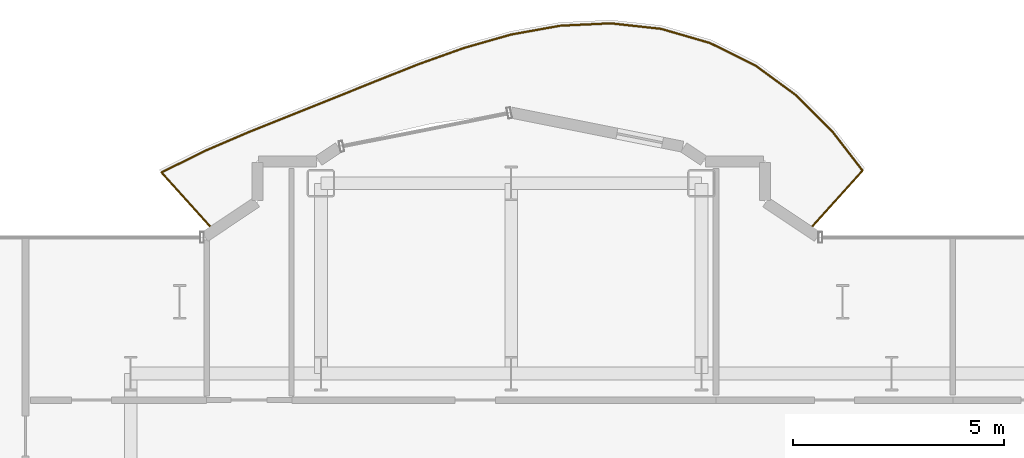
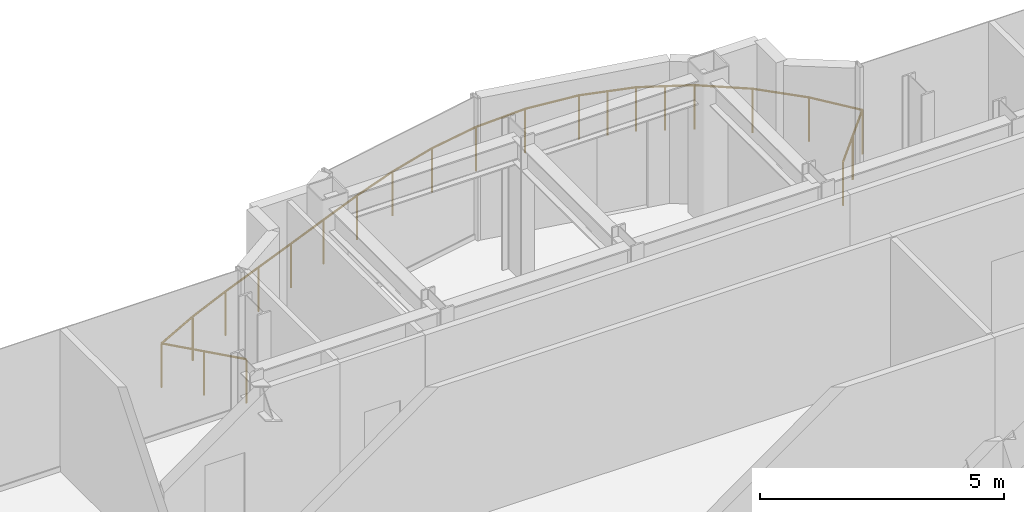
# One storey, part 21 of 21: 1 railing.
"""IFC4 building model written with IfcOpenShell, lengths in metres."""

from ifc_helpers import new_model, si_unit, direction, frame, origin, origin_2d, place, context, subcontext, project, spatial, circle, extrude, material, type_object, element, save


model = new_model("IFC4")

# Units and contexts
model_context = context("Model", 3, precision=1e-05, world=origin(), true_north=direction((0.0, 1.0)))
body_context = subcontext(model_context, "Body", "Model", "MODEL_VIEW")
ifc_project = project(units=[si_unit("LENGTHUNIT", "METRE"), si_unit("AREAUNIT", "SQUARE_METRE"), si_unit("VOLUMEUNIT", "CUBIC_METRE"), si_unit("PLANEANGLEUNIT", "RADIAN"), si_unit("MASSUNIT", "GRAM", prefix="KILO")], contexts=[model_context])

# Site, building, storey
site_placement = place(None, origin())
site = spatial("IfcSite", under=ifc_project, at=site_placement, CompositionType="ELEMENT")
building_placement = place(site_placement, origin())
building = spatial("IfcBuilding", under=site, at=building_placement, Name="Nefas-Gora Pilgrimage Tower", CompositionType="ELEMENT")
storey_placement = place(building_placement, frame((0.0, 0.0, 210.39990234375)))
storey = spatial("IfcBuildingStorey", under=building, at=storey_placement, Name="L52", CompositionType="ELEMENT", Elevation=210.39990234375)

# Railing
ifc_material = material(Name="Laminated safety glass and stainless steel", Category="steel")
railing_type = type_object("IfcRailingType", Name="RLG-BAL-1100", PredefinedType="BALUSTRADE", material=ifc_material)
railing_placement = place(storey_placement, frame((4.802490234375, 21.402587890625, 0.0)))
element("IfcRailing", 1, at=railing_placement, inside=storey, type_object=railing_type, Name="L52 Wave Balcony Balustrade N1", PredefinedType="BALUSTRADE", context=body_context, shape_type="SweptSolid", body=[
    extrude(circle(Radius=0.02392578125, at=origin_2d()), frame((0.0, 0.0, 1.09619140625), z_axis=(0.669129721026, 0.743145622634, 0.0), x_axis=(-0.743145622634, 0.669129721026, 0.0)), (0.0, 0.0, 1.0), 1.880126953125),
    extrude(circle(Radius=0.02392578125, at=origin_2d()), frame((1.258056640625, 1.397216796875, 1.09619140625), z_axis=(-0.611200063939, 0.791476141044, 0.0), x_axis=(-0.791476141044, -0.611200063939, 0.0)), (0.0, 0.0, 1.0), 1.179443359375),
    extrude(circle(Radius=0.02392578125, at=origin_2d()), frame((0.537109375, 2.330810546875, 1.09619140625), z_axis=(-0.707209030738, 0.707004516848, 0.0), x_axis=(-0.707004516848, -0.707209030738, 0.0)), (0.0, 0.0, 1.0), 1.19384765625),
    extrude(circle(Radius=0.02392578125, at=origin_2d()), frame((-0.30712890625, 3.1748046875, 1.09619140625), z_axis=(-0.807148617314, 0.590348295135, 0.0), x_axis=(-0.590348295135, -0.807148617314, 0.0)), (0.0, 0.0, 1.0), 1.19921875),
    extrude(circle(Radius=0.02392578125, at=origin_2d()), frame((-1.275146484375, 3.8828125, 1.09619140625), z_axis=(-0.896048232133, 0.443956716011, 0.0), x_axis=(-0.443956716011, -0.896048232133, 0.0)), (0.0, 0.0, 1.0), 1.200439453125),
    extrude(circle(Radius=0.02392578125, at=origin_2d()), frame((-2.350830078125, 4.415771484375, 1.09619140625), z_axis=(-0.960465578019, 0.278398766951, 0.0), x_axis=(-0.278398766951, -0.960465578019, 0.0)), (0.0, 0.0, 1.0), 1.200439453125),
    extrude(circle(Radius=0.02392578125, at=origin_2d()), frame((-3.50390625, 4.75, 1.09619140625), z_axis=(-0.994009663553, 0.109292217307, 0.0), x_axis=(-0.109292217307, -0.994009663553, 0.0)), (0.0, 0.0, 1.0), 1.199462890625),
    extrude(circle(Radius=0.02392578125, at=origin_2d()), frame((-4.6962890625, 4.881103515625, 1.09619140625), z_axis=(-0.998903921138, -0.046807652535, 0.0), x_axis=(0.046807652535, -0.998903921138, 0.0)), (0.0, 0.0, 1.0), 1.1943359375),
    extrude(circle(Radius=0.02392578125, at=origin_2d()), frame((-5.889404296875, 4.8251953125, 1.09619140625), z_axis=(-0.984273970402, -0.176648665973, 0.0), x_axis=(0.176648665973, -0.984273970402, 0.0)), (0.0, 0.0, 1.0), 1.181640625),
    extrude(circle(Radius=0.02392578125, at=origin_2d()), frame((-7.052490234375, 4.616455078125, 1.09619140625), z_axis=(-0.961722400744, -0.274025589875, 0.0), x_axis=(0.274025589875, -0.961722400744, 0.0)), (0.0, 0.0, 1.0), 1.1591796875),
    extrude(circle(Radius=0.02392578125, at=origin_2d()), frame((-8.167236328125, 4.298828125, 1.09619140625), z_axis=(-0.941629347278, -0.336651410726, 0.0), x_axis=(0.336651410726, -0.941629347278, 0.0)), (0.0, 0.0, 1.0), 1.129150390625),
    extrude(circle(Radius=0.02392578125, at=origin_2d()), frame((-9.23046875, 3.918701171875, 1.09619140625), z_axis=(-0.929909498538, -0.367788423592, 0.0), x_axis=(0.367788423592, -0.929909498538, 0.0)), (0.0, 0.0, 1.0), 1.099365234375),
    extrude(circle(Radius=0.02392578125, at=origin_2d()), frame((-10.252685546875, 3.514404296875, 1.09619140625), z_axis=(-0.927160236692, -0.374665044403, 0.0), x_axis=(0.374665044403, -0.927160236692, 0.0)), (0.0, 0.0, 1.0), 1.0791015625),
    extrude(circle(Radius=0.02392578125, at=origin_2d()), frame((-11.253173828125, 3.110107421875, 1.09619140625), z_axis=(-0.928883068163, -0.370373116844, 0.0), x_axis=(0.370373116844, -0.928883068163, 0.0)), (0.0, 0.0, 1.0), 1.07568359375),
    extrude(circle(Radius=0.02392578125, at=origin_2d()), frame((-12.25244140625, 2.711669921875, 1.09619140625), z_axis=(-0.928183190328, -0.372123588601, 0.0), x_axis=(0.372123588601, -0.928183190328, 0.0)), (0.0, 0.0, 1.0), 1.091064453125),
    extrude(circle(Radius=0.02392578125, at=origin_2d()), frame((-13.26513671875, 2.3056640625, 1.09619140625), z_axis=(-0.919111174096, -0.393998286356, 0.0), x_axis=(0.393998286356, -0.919111174096, 0.0)), (0.0, 0.0, 1.0), 1.119140625),
    extrude(circle(Radius=0.02392578125, at=origin_2d()), frame((-14.293701171875, 1.86474609375, 1.09619140625), z_axis=(-0.895992473093, -0.444069238026, 0.0), x_axis=(0.444069238026, -0.895992473093, 0.0)), (0.0, 0.0, 1.0), 1.150146484375),
    extrude(circle(Radius=0.02392578125, at=origin_2d()), frame((-15.32421875, 1.35400390625, 1.09619140625), z_axis=(0.669157184217, -0.743120893806, 0.0), x_axis=(0.743120893806, 0.669157184217, 0.0)), (0.0, 0.0, 1.0), 1.822021484375),
    extrude(circle(Radius=0.02099609375, at=origin_2d()), origin(), (0.0, 0.0, 1.0), 1.072021484375),
    extrude(circle(Radius=0.02099609375, at=origin_2d()), frame((0.62890625, 0.69873046875, 0.0)), (0.0, 0.0, 1.0), 1.072021484375),
    extrude(circle(Radius=0.02099609375, at=origin_2d()), frame((1.258056640625, 1.397216796875, 0.0)), (0.0, 0.0, 1.0), 1.072021484375),
    extrude(circle(Radius=0.02099609375, at=origin_2d()), frame((0.537109375, 2.330810546875, 0.0)), (0.0, 0.0, 1.0), 1.072021484375),
    extrude(circle(Radius=0.02099609375, at=origin_2d()), frame((-0.30712890625, 3.1748046875, 0.0)), (0.0, 0.0, 1.0), 1.072021484375),
    extrude(circle(Radius=0.02099609375, at=origin_2d()), frame((-1.275146484375, 3.8828125, 0.0)), (0.0, 0.0, 1.0), 1.072021484375),
    extrude(circle(Radius=0.02099609375, at=origin_2d()), frame((-1.81298828125, 4.1494140625, 0.0)), (0.0, 0.0, 1.0), 1.072021484375),
    extrude(circle(Radius=0.02099609375, at=origin_2d()), frame((-2.350830078125, 4.415771484375, 0.0)), (0.0, 0.0, 1.0), 1.072021484375),
    extrude(circle(Radius=0.02099609375, at=origin_2d()), frame((-2.92724609375, 4.5830078125, 0.0)), (0.0, 0.0, 1.0), 1.072021484375),
    extrude(circle(Radius=0.02099609375, at=origin_2d()), frame((-3.50390625, 4.75, 0.0)), (0.0, 0.0, 1.0), 1.072021484375),
    extrude(circle(Radius=0.02099609375, at=origin_2d()), frame((-4.6962890625, 4.881103515625, 0.0)), (0.0, 0.0, 1.0), 1.072021484375),
    extrude(circle(Radius=0.02099609375, at=origin_2d()), frame((-5.889404296875, 4.8251953125, 0.0)), (0.0, 0.0, 1.0), 1.072021484375),
    extrude(circle(Radius=0.02099609375, at=origin_2d()), frame((-7.052490234375, 4.616455078125, 0.0)), (0.0, 0.0, 1.0), 1.072021484375),
    extrude(circle(Radius=0.02099609375, at=origin_2d()), frame((-8.167236328125, 4.298828125, 0.0)), (0.0, 0.0, 1.0), 1.072021484375),
    extrude(circle(Radius=0.02099609375, at=origin_2d()), frame((-9.23046875, 3.918701171875, 0.0)), (0.0, 0.0, 1.0), 1.072021484375),
    extrude(circle(Radius=0.02099609375, at=origin_2d()), frame((-10.252685546875, 3.514404296875, 0.0)), (0.0, 0.0, 1.0), 1.072021484375),
    extrude(circle(Radius=0.02099609375, at=origin_2d()), frame((-11.253173828125, 3.110107421875, 0.0)), (0.0, 0.0, 1.0), 1.072021484375),
    extrude(circle(Radius=0.02099609375, at=origin_2d()), frame((-12.25244140625, 2.711669921875, 0.0)), (0.0, 0.0, 1.0), 1.072021484375),
    extrude(circle(Radius=0.02099609375, at=origin_2d()), frame((-13.26513671875, 2.3056640625, 0.0)), (0.0, 0.0, 1.0), 1.072021484375),
    extrude(circle(Radius=0.02099609375, at=origin_2d()), frame((-14.293701171875, 1.86474609375, 0.0)), (0.0, 0.0, 1.0), 1.072021484375),
    extrude(circle(Radius=0.02099609375, at=origin_2d()), frame((-15.32421875, 1.35400390625, 0.0)), (0.0, 0.0, 1.0), 1.072021484375),
    extrude(circle(Radius=0.02099609375, at=origin_2d()), frame((-14.714599609375, 0.677001953125, 0.0)), (0.0, 0.0, 1.0), 1.072021484375),
    extrude(circle(Radius=0.02099609375, at=origin_2d()), frame((-14.10498046875, 0.0, 0.0)), (0.0, 0.0, 1.0), 1.072021484375),
])

save(model, "model.ifc")
